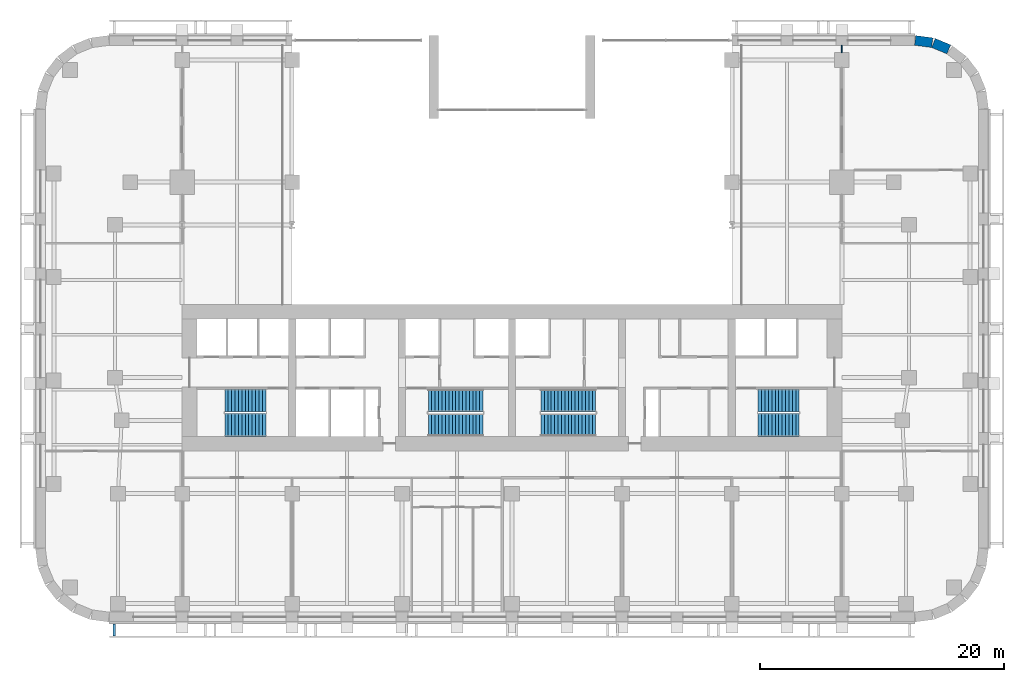
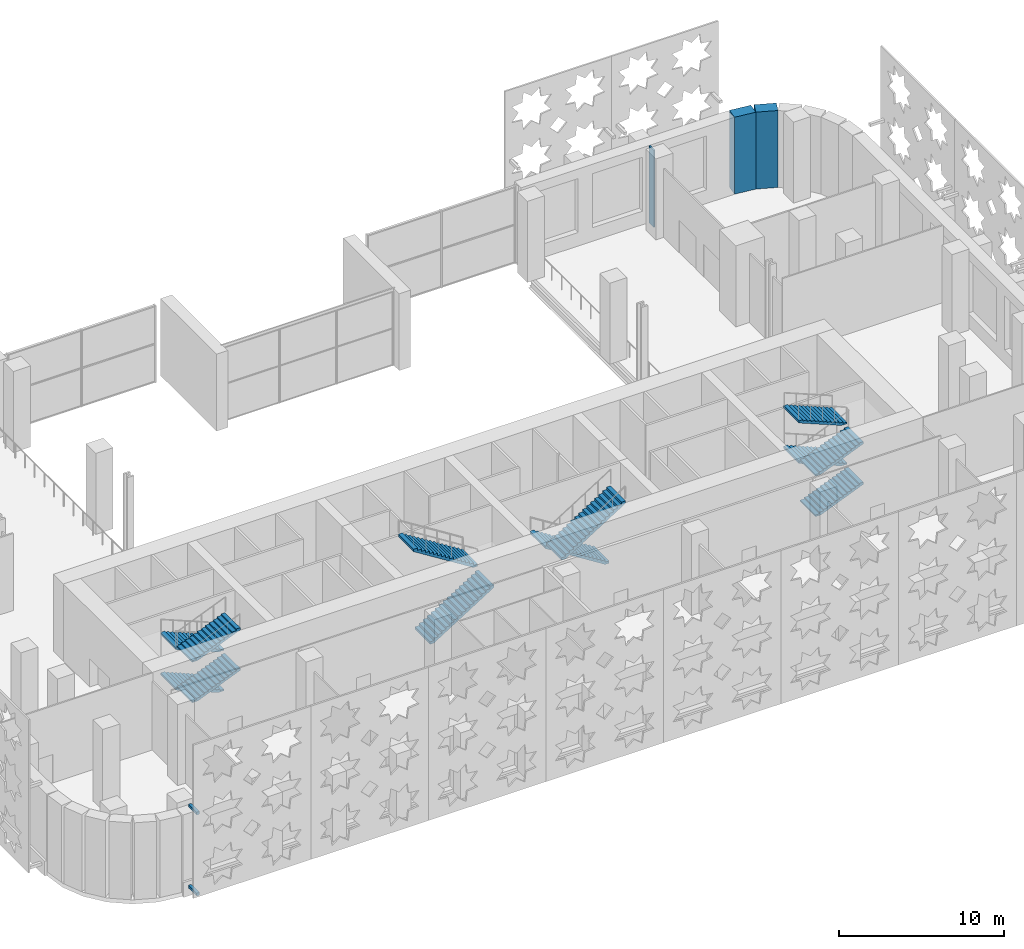
# One storey, part 9 of 17: 12 stair flights, 3 walls, 2 discrete accessories, 4 elements without a shape of their own.
"""IFC4 building model written with IfcOpenShell, lengths in metres."""

from ifc_helpers import new_model, si_unit, direction, frame, frame_2d, origin, origin_2d, place, context, subcontext, project, spatial, polyline, rectangle, outline, extrude, material, layer, layer_set, type_object, element, aggregate, save


model = new_model("IFC4")

# Units and contexts
model_context = context("Model", 3, precision=1e-05, world=origin(), true_north=direction((0.0, 1.0)))
body_context = subcontext(model_context, "Body", "Model", "MODEL_VIEW")
ifc_project = project(units=[si_unit("LENGTHUNIT", "METRE"), si_unit("AREAUNIT", "SQUARE_METRE"), si_unit("VOLUMEUNIT", "CUBIC_METRE"), si_unit("PLANEANGLEUNIT", "RADIAN"), si_unit("MASSUNIT", "GRAM", prefix="KILO")], contexts=[model_context])

# Site, building, storey
site_placement = place(None, origin())
site = spatial("IfcSite", under=ifc_project, at=site_placement, CompositionType="ELEMENT")
building_placement = place(site_placement, origin())
building = spatial("IfcBuilding", under=site, at=building_placement, Name="Zellij Exchange Tower", CompositionType="ELEMENT")
storey_placement = place(building_placement, frame((0.0, 0.0, 9.0)))
storey = spatial("IfcBuildingStorey", under=building, at=storey_placement, Name="L01", CompositionType="ELEMENT", Elevation=9.0)

# Walls
ifc_material_1 = material(Name="Precast concrete C40/50", Category="concrete")
ifc_layer_1 = layer(ifc_material_1, 0.800048828125)
ifc_layer_set_1 = layer_set([ifc_layer_1], Name="Precast concrete C40/50")
wall_type_1 = type_object("IfcWallType", Name="ENV-EW1 Precast stone-piered wall 800", PredefinedType="SOLIDWALL", material=ifc_layer_set_1)
wall_1_placement = place(storey_placement, frame((35.74951171875, 18.866943359375, 0.0), z_axis=(0.0, 0.0, 1.0), x_axis=(-0.923847774587, 0.38276009378, 0.0)))
element("IfcWall", 1, at=wall_1_placement, inside=storey, type_object=wall_type_1, Name="fac.L01.12", PredefinedType="SOLIDWALL", context=body_context, shape_type="SweptSolid", body=[
    extrude(rectangle(XDim=1.35546875, YDim=0.800048828125, at=frame_2d((0.677734375, 0.0))), origin(), (0.0, 0.0, 1.0), 5.699951171875),
])
wall_2_placement = place(storey_placement, frame((34.396240234375, 19.412841796875, 0.0), z_axis=(0.0, 0.0, 1.0), x_axis=(-0.99144603414, 0.130517283865, 0.0)))
element("IfcWall", 2, at=wall_2_placement, inside=storey, type_object=wall_type_1, Name="fac.L01.13", PredefinedType="SOLIDWALL", context=body_context, shape_type="SweptSolid", body=[
    extrude(rectangle(XDim=1.408447265625, YDim=0.800048828125, at=frame_2d((0.7041015625, 0.0))), origin(), (0.0, 0.0, 1.0), 5.699951171875),
])
ifc_material_2 = material(Name="Gypsum board partition on steel studs", Category="steel")
ifc_layer_2 = layer(ifc_material_2, 0.10009765625)
ifc_layer_set_2 = layer_set([ifc_layer_2], Name="Gypsum board partition on steel studs")
wall_type_2 = type_object("IfcWallType", Name="FIT-PARTITION-100", PredefinedType="PARTITIONING", material=ifc_layer_set_2)
wall_3_placement = place(storey_placement, frame((27.0, 18.60009765625, 0.0), z_axis=(0.0, 0.0, 1.0), x_axis=(0.0, 1.0, 0.0)))
element("IfcWall", 3, at=wall_3_placement, inside=storey, type_object=wall_type_2, Name="FIT-PARTITION-100 031", PredefinedType="PARTITIONING", context=body_context, shape_type="SweptSolid", body=[
    extrude(rectangle(XDim=0.599853515625, YDim=0.10009765625, at=frame_2d((0.2998046875, 0.0))), origin(), (0.0, 0.0, 1.0), 5.699951171875),
])

# Stair, stair flights
ifc_material_3 = material(Name="Concrete C40/50", Category="concrete")
stair_type = type_object("IfcStairType", Name="CORE-ST exit stair 1850 wide", PredefinedType="HALF_TURN_STAIR", material=ifc_material_3)
stair_1_placement = place(storey_placement, origin())
stair_1 = element("IfcStair", 4, at=stair_1_placement, inside=storey, type_object=stair_type, Name="L01 exit stair ST1", PredefinedType="HALF_TURN_STAIR")
stair_flight_type_1 = type_object("IfcStairFlightType", Name="CORE-SF flight 1850 riser 115.4 going 280", PredefinedType="STRAIGHT", material=ifc_material_3)
stair_flight_1_placement = place(storey_placement, frame((-20.14990234375, -9.875, 0.0), z_axis=(0.0, 0.0, 1.0), x_axis=(-1.0, 0.0, 0.0)))
stair_flight_1 = element("IfcStairFlight", 5, at=stair_flight_1_placement, type_object=stair_flight_type_1, Name="ST1 flight 1", NumberOfRisers=13, NumberOfTreads=12, PredefinedType="STRAIGHT", RiserHeight=0.115384615, TreadLength=0.28, context=body_context, shape_type="SweptSolid", body=[
    extrude(outline(polyline([(0.0, 0.0), (0.0, 0.115478515625), (0.280029296875, 0.115478515625), (0.280029296875, 0.230712890625), (0.56005859375, 0.230712890625), (0.56005859375, 0.34619140625), (0.840087890625, 0.34619140625), (0.840087890625, 0.46142578125), (1.1201171875, 0.46142578125), (1.1201171875, 0.576904296875), (1.39990234375, 0.576904296875), (1.39990234375, 0.6923828125), (1.679931640625, 0.6923828125), (1.679931640625, 0.8076171875), (1.9599609375, 0.8076171875), (1.9599609375, 0.923095703125), (2.239990234375, 0.923095703125), (2.239990234375, 1.03857421875), (2.52001953125, 1.03857421875), (2.52001953125, 1.15380859375), (2.800048828125, 1.15380859375), (2.800048828125, 1.269287109375), (3.080078125, 1.269287109375), (3.080078125, 1.384521484375), (3.360107421875, 1.384521484375), (3.360107421875, 1.5), (3.360107421875, 1.222412109375), (0.3935546875, 0.0), (0.0, 0.0)])), frame((0.0, 0.925048828125, 0.0), z_axis=(0.0, -1.0, 0.0), x_axis=(1.0, 0.0, 0.0)), (0.0, 0.0, 1.0), 1.85009765625),
])
stair_flight_2_placement = place(storey_placement, frame((-23.510009765625, -11.875, 1.5), z_axis=(0.0, 0.0, 1.0), x_axis=(1.0, 0.0, 0.0)))
stair_flight_2 = element("IfcStairFlight", 6, at=stair_flight_2_placement, type_object=stair_flight_type_1, Name="ST1 flight 2", NumberOfRisers=13, NumberOfTreads=12, PredefinedType="STRAIGHT", RiserHeight=0.115384615, TreadLength=0.28, context=body_context, shape_type="SweptSolid", body=[
    extrude(outline(polyline([(0.0, 0.0), (0.0, 0.115478515625), (0.280029296875, 0.115478515625), (0.280029296875, 0.230712890625), (0.56005859375, 0.230712890625), (0.56005859375, 0.34619140625), (0.840087890625, 0.34619140625), (0.840087890625, 0.46142578125), (1.1201171875, 0.46142578125), (1.1201171875, 0.576904296875), (1.39990234375, 0.576904296875), (1.39990234375, 0.6923828125), (1.679931640625, 0.6923828125), (1.679931640625, 0.8076171875), (1.9599609375, 0.8076171875), (1.9599609375, 0.923095703125), (2.239990234375, 0.923095703125), (2.239990234375, 1.03857421875), (2.52001953125, 1.03857421875), (2.52001953125, 1.15380859375), (2.800048828125, 1.15380859375), (2.800048828125, 1.269287109375), (3.080078125, 1.269287109375), (3.080078125, 1.384521484375), (3.360107421875, 1.384521484375), (3.360107421875, 1.5), (3.360107421875, 1.222412109375), (0.3935546875, 0.0), (0.0, 0.0)])), frame((0.0, 0.925048828125, 0.0), z_axis=(0.0, -1.0, 0.0), x_axis=(1.0, 0.0, 0.0)), (0.0, 0.0, 1.0), 1.85009765625),
])
stair_flight_3_placement = place(storey_placement, frame((-20.14990234375, -9.875, 3.0), z_axis=(0.0, 0.0, 1.0), x_axis=(-1.0, 0.0, 0.0)))
stair_flight_3 = element("IfcStairFlight", 7, at=stair_flight_3_placement, type_object=stair_flight_type_1, Name="ST1 flight 3", NumberOfRisers=13, NumberOfTreads=12, PredefinedType="STRAIGHT", RiserHeight=0.115384615, TreadLength=0.28, context=body_context, shape_type="SweptSolid", body=[
    extrude(outline(polyline([(0.0, 0.0), (0.0, 0.115478515625), (0.280029296875, 0.115478515625), (0.280029296875, 0.230712890625), (0.56005859375, 0.230712890625), (0.56005859375, 0.34619140625), (0.840087890625, 0.34619140625), (0.840087890625, 0.46142578125), (1.1201171875, 0.46142578125), (1.1201171875, 0.576904296875), (1.39990234375, 0.576904296875), (1.39990234375, 0.6923828125), (1.679931640625, 0.6923828125), (1.679931640625, 0.8076171875), (1.9599609375, 0.8076171875), (1.9599609375, 0.923095703125), (2.239990234375, 0.923095703125), (2.239990234375, 1.03857421875), (2.52001953125, 1.03857421875), (2.52001953125, 1.15380859375), (2.800048828125, 1.15380859375), (2.800048828125, 1.269287109375), (3.080078125, 1.269287109375), (3.080078125, 1.384521484375), (3.360107421875, 1.384521484375), (3.360107421875, 1.5), (3.360107421875, 1.222412109375), (0.3935546875, 0.0), (0.0, 0.0)])), frame((0.0, 0.925048828125, 0.0), z_axis=(0.0, -1.0, 0.0), x_axis=(1.0, 0.0, 0.0)), (0.0, 0.0, 1.0), 1.85009765625),
])
stair_flight_4_placement = place(storey_placement, frame((-23.510009765625, -11.875, 4.5), z_axis=(0.0, 0.0, 1.0), x_axis=(1.0, 0.0, 0.0)))
stair_flight_4 = element("IfcStairFlight", 8, at=stair_flight_4_placement, type_object=stair_flight_type_1, Name="ST1 flight 4", NumberOfRisers=13, NumberOfTreads=12, PredefinedType="STRAIGHT", RiserHeight=0.115384615, TreadLength=0.28, context=body_context, shape_type="SweptSolid", body=[
    extrude(outline(polyline([(0.0, 0.0), (0.0, 0.115478515625), (0.280029296875, 0.115478515625), (0.280029296875, 0.230712890625), (0.56005859375, 0.230712890625), (0.56005859375, 0.34619140625), (0.840087890625, 0.34619140625), (0.840087890625, 0.46142578125), (1.1201171875, 0.46142578125), (1.1201171875, 0.576904296875), (1.39990234375, 0.576904296875), (1.39990234375, 0.6923828125), (1.679931640625, 0.6923828125), (1.679931640625, 0.8076171875), (1.9599609375, 0.8076171875), (1.9599609375, 0.923095703125), (2.239990234375, 0.923095703125), (2.239990234375, 1.03857421875), (2.52001953125, 1.03857421875), (2.52001953125, 1.15380859375), (2.800048828125, 1.15380859375), (2.800048828125, 1.269287109375), (3.080078125, 1.269287109375), (3.080078125, 1.384521484375), (3.360107421875, 1.384521484375), (3.360107421875, 1.5), (3.360107421875, 1.222412109375), (0.3935546875, 0.0), (0.0, 0.0)])), frame((0.0, 0.925048828125, 0.0), z_axis=(0.0, -1.0, 0.0), x_axis=(1.0, 0.0, 0.0)), (0.0, 0.0, 1.0), 1.85009765625),
])
aggregate(stair_1, [stair_flight_1, stair_flight_2, stair_flight_3, stair_flight_4])

stair_2_placement = place(storey_placement, origin())
stair_2 = element("IfcStair", 9, at=stair_2_placement, inside=storey, type_object=stair_type, Name="L01 exit stair ST4", PredefinedType="HALF_TURN_STAIR")
stair_flight_5_placement = place(storey_placement, frame((20.14990234375, -11.875, 0.0), z_axis=(0.0, 0.0, 1.0), x_axis=(1.0, 0.0, 0.0)))
stair_flight_5 = element("IfcStairFlight", 10, at=stair_flight_5_placement, type_object=stair_flight_type_1, Name="ST4 flight 1", NumberOfRisers=13, NumberOfTreads=12, PredefinedType="STRAIGHT", RiserHeight=0.115384615, TreadLength=0.28, context=body_context, shape_type="SweptSolid", body=[
    extrude(outline(polyline([(0.0, 0.0), (0.0, 0.115478515625), (0.280029296875, 0.115478515625), (0.280029296875, 0.230712890625), (0.56005859375, 0.230712890625), (0.56005859375, 0.34619140625), (0.840087890625, 0.34619140625), (0.840087890625, 0.46142578125), (1.1201171875, 0.46142578125), (1.1201171875, 0.576904296875), (1.39990234375, 0.576904296875), (1.39990234375, 0.6923828125), (1.679931640625, 0.6923828125), (1.679931640625, 0.8076171875), (1.9599609375, 0.8076171875), (1.9599609375, 0.923095703125), (2.239990234375, 0.923095703125), (2.239990234375, 1.03857421875), (2.52001953125, 1.03857421875), (2.52001953125, 1.15380859375), (2.800048828125, 1.15380859375), (2.800048828125, 1.269287109375), (3.080078125, 1.269287109375), (3.080078125, 1.384521484375), (3.360107421875, 1.384521484375), (3.360107421875, 1.5), (3.360107421875, 1.222412109375), (0.3935546875, 0.0), (0.0, 0.0)])), frame((0.0, 0.925048828125, 0.0), z_axis=(0.0, -1.0, 0.0), x_axis=(1.0, 0.0, 0.0)), (0.0, 0.0, 1.0), 1.85009765625),
])
stair_flight_6_placement = place(storey_placement, frame((23.510009765625, -9.875, 1.5), z_axis=(0.0, 0.0, 1.0), x_axis=(-1.0, 0.0, 0.0)))
stair_flight_6 = element("IfcStairFlight", 11, at=stair_flight_6_placement, type_object=stair_flight_type_1, Name="ST4 flight 2", NumberOfRisers=13, NumberOfTreads=12, PredefinedType="STRAIGHT", RiserHeight=0.115384615, TreadLength=0.28, context=body_context, shape_type="SweptSolid", body=[
    extrude(outline(polyline([(0.0, 0.0), (0.0, 0.115478515625), (0.280029296875, 0.115478515625), (0.280029296875, 0.230712890625), (0.56005859375, 0.230712890625), (0.56005859375, 0.34619140625), (0.840087890625, 0.34619140625), (0.840087890625, 0.46142578125), (1.1201171875, 0.46142578125), (1.1201171875, 0.576904296875), (1.39990234375, 0.576904296875), (1.39990234375, 0.6923828125), (1.679931640625, 0.6923828125), (1.679931640625, 0.8076171875), (1.9599609375, 0.8076171875), (1.9599609375, 0.923095703125), (2.239990234375, 0.923095703125), (2.239990234375, 1.03857421875), (2.52001953125, 1.03857421875), (2.52001953125, 1.15380859375), (2.800048828125, 1.15380859375), (2.800048828125, 1.269287109375), (3.080078125, 1.269287109375), (3.080078125, 1.384521484375), (3.360107421875, 1.384521484375), (3.360107421875, 1.5), (3.360107421875, 1.222412109375), (0.3935546875, 0.0), (0.0, 0.0)])), frame((0.0, 0.925048828125, 0.0), z_axis=(0.0, -1.0, 0.0), x_axis=(1.0, 0.0, 0.0)), (0.0, 0.0, 1.0), 1.85009765625),
])
stair_flight_7_placement = place(storey_placement, frame((20.14990234375, -11.875, 3.0), z_axis=(0.0, 0.0, 1.0), x_axis=(1.0, 0.0, 0.0)))
stair_flight_7 = element("IfcStairFlight", 12, at=stair_flight_7_placement, type_object=stair_flight_type_1, Name="ST4 flight 3", NumberOfRisers=13, NumberOfTreads=12, PredefinedType="STRAIGHT", RiserHeight=0.115384615, TreadLength=0.28, context=body_context, shape_type="SweptSolid", body=[
    extrude(outline(polyline([(0.0, 0.0), (0.0, 0.115478515625), (0.280029296875, 0.115478515625), (0.280029296875, 0.230712890625), (0.56005859375, 0.230712890625), (0.56005859375, 0.34619140625), (0.840087890625, 0.34619140625), (0.840087890625, 0.46142578125), (1.1201171875, 0.46142578125), (1.1201171875, 0.576904296875), (1.39990234375, 0.576904296875), (1.39990234375, 0.6923828125), (1.679931640625, 0.6923828125), (1.679931640625, 0.8076171875), (1.9599609375, 0.8076171875), (1.9599609375, 0.923095703125), (2.239990234375, 0.923095703125), (2.239990234375, 1.03857421875), (2.52001953125, 1.03857421875), (2.52001953125, 1.15380859375), (2.800048828125, 1.15380859375), (2.800048828125, 1.269287109375), (3.080078125, 1.269287109375), (3.080078125, 1.384521484375), (3.360107421875, 1.384521484375), (3.360107421875, 1.5), (3.360107421875, 1.222412109375), (0.3935546875, 0.0), (0.0, 0.0)])), frame((0.0, 0.925048828125, 0.0), z_axis=(0.0, -1.0, 0.0), x_axis=(1.0, 0.0, 0.0)), (0.0, 0.0, 1.0), 1.85009765625),
])
stair_flight_8_placement = place(storey_placement, frame((23.510009765625, -9.875, 4.5), z_axis=(0.0, 0.0, 1.0), x_axis=(-1.0, 0.0, 0.0)))
stair_flight_8 = element("IfcStairFlight", 13, at=stair_flight_8_placement, type_object=stair_flight_type_1, Name="ST4 flight 4", NumberOfRisers=13, NumberOfTreads=12, PredefinedType="STRAIGHT", RiserHeight=0.115384615, TreadLength=0.28, context=body_context, shape_type="SweptSolid", body=[
    extrude(outline(polyline([(0.0, 0.0), (0.0, 0.115478515625), (0.280029296875, 0.115478515625), (0.280029296875, 0.230712890625), (0.56005859375, 0.230712890625), (0.56005859375, 0.34619140625), (0.840087890625, 0.34619140625), (0.840087890625, 0.46142578125), (1.1201171875, 0.46142578125), (1.1201171875, 0.576904296875), (1.39990234375, 0.576904296875), (1.39990234375, 0.6923828125), (1.679931640625, 0.6923828125), (1.679931640625, 0.8076171875), (1.9599609375, 0.8076171875), (1.9599609375, 0.923095703125), (2.239990234375, 0.923095703125), (2.239990234375, 1.03857421875), (2.52001953125, 1.03857421875), (2.52001953125, 1.15380859375), (2.800048828125, 1.15380859375), (2.800048828125, 1.269287109375), (3.080078125, 1.269287109375), (3.080078125, 1.384521484375), (3.360107421875, 1.384521484375), (3.360107421875, 1.5), (3.360107421875, 1.222412109375), (0.3935546875, 0.0), (0.0, 0.0)])), frame((0.0, 0.925048828125, 0.0), z_axis=(0.0, -1.0, 0.0), x_axis=(1.0, 0.0, 0.0)), (0.0, 0.0, 1.0), 1.85009765625),
])
aggregate(stair_2, [stair_flight_5, stair_flight_6, stair_flight_7, stair_flight_8])

stair_3_placement = place(storey_placement, origin())
stair_3 = element("IfcStair", 14, at=stair_3_placement, inside=storey, type_object=stair_type, Name="L01 exit stair ST2", PredefinedType="HALF_TURN_STAIR")
stair_flight_type_2 = type_object("IfcStairFlightType", Name="CORE-SF flight 1850 riser 176.5 going 280", PredefinedType="STRAIGHT", material=ifc_material_3)
stair_flight_9_placement = place(storey_placement, frame((-6.85009765625, -11.875, 0.0), z_axis=(0.0, 0.0, 1.0), x_axis=(1.0, 0.0, 0.0)))
stair_flight_9 = element("IfcStairFlight", 15, at=stair_flight_9_placement, type_object=stair_flight_type_2, Name="ST2 flight 1", NumberOfRisers=17, NumberOfTreads=16, PredefinedType="STRAIGHT", RiserHeight=0.176470588, TreadLength=0.28, context=body_context, shape_type="SweptSolid", body=[
    extrude(outline(polyline([(0.0, 0.0), (0.0, 0.176513671875), (0.280029296875, 0.176513671875), (0.280029296875, 0.35302734375), (0.56005859375, 0.35302734375), (0.56005859375, 0.529296875), (0.840087890625, 0.529296875), (0.840087890625, 0.705810546875), (1.1201171875, 0.705810546875), (1.1201171875, 0.88232421875), (1.39990234375, 0.88232421875), (1.39990234375, 1.058837890625), (1.679931640625, 1.058837890625), (1.679931640625, 1.2353515625), (1.9599609375, 1.2353515625), (1.9599609375, 1.411865234375), (2.239990234375, 1.411865234375), (2.239990234375, 1.588134765625), (2.52001953125, 1.588134765625), (2.52001953125, 1.7646484375), (2.800048828125, 1.7646484375), (2.800048828125, 1.941162109375), (3.080078125, 1.941162109375), (3.080078125, 2.11767578125), (3.360107421875, 2.11767578125), (3.360107421875, 2.294189453125), (3.639892578125, 2.294189453125), (3.639892578125, 2.470703125), (3.919921875, 2.470703125), (3.919921875, 2.64697265625), (4.199951171875, 2.64697265625), (4.199951171875, 2.823486328125), (4.47998046875, 2.823486328125), (4.47998046875, 3.0), (4.47998046875, 2.646240234375), (0.28125, 0.0), (0.0, 0.0)])), frame((0.0, 0.925048828125, 0.0), z_axis=(0.0, -1.0, 0.0), x_axis=(1.0, 0.0, 0.0)), (0.0, 0.0, 1.0), 1.85009765625),
])
stair_flight_10_placement = place(storey_placement, frame((-2.3701171875, -9.875, 3.0), z_axis=(0.0, 0.0, 1.0), x_axis=(-1.0, 0.0, 0.0)))
stair_flight_10 = element("IfcStairFlight", 16, at=stair_flight_10_placement, type_object=stair_flight_type_2, Name="ST2 flight 2", NumberOfRisers=17, NumberOfTreads=16, PredefinedType="STRAIGHT", RiserHeight=0.176470588, TreadLength=0.28, context=body_context, shape_type="SweptSolid", body=[
    extrude(outline(polyline([(0.0, 0.0), (0.0, 0.176513671875), (0.280029296875, 0.176513671875), (0.280029296875, 0.35302734375), (0.56005859375, 0.35302734375), (0.56005859375, 0.529296875), (0.840087890625, 0.529296875), (0.840087890625, 0.705810546875), (1.1201171875, 0.705810546875), (1.1201171875, 0.88232421875), (1.39990234375, 0.88232421875), (1.39990234375, 1.058837890625), (1.679931640625, 1.058837890625), (1.679931640625, 1.2353515625), (1.9599609375, 1.2353515625), (1.9599609375, 1.411865234375), (2.239990234375, 1.411865234375), (2.239990234375, 1.588134765625), (2.52001953125, 1.588134765625), (2.52001953125, 1.7646484375), (2.800048828125, 1.7646484375), (2.800048828125, 1.941162109375), (3.080078125, 1.941162109375), (3.080078125, 2.11767578125), (3.360107421875, 2.11767578125), (3.360107421875, 2.294189453125), (3.639892578125, 2.294189453125), (3.639892578125, 2.470703125), (3.919921875, 2.470703125), (3.919921875, 2.64697265625), (4.199951171875, 2.64697265625), (4.199951171875, 2.823486328125), (4.47998046875, 2.823486328125), (4.47998046875, 3.0), (4.47998046875, 2.646240234375), (0.28125, 0.0), (0.0, 0.0)])), frame((0.0, 0.925048828125, 0.0), z_axis=(0.0, -1.0, 0.0), x_axis=(1.0, 0.0, 0.0)), (0.0, 0.0, 1.0), 1.85009765625),
])
aggregate(stair_3, [stair_flight_9, stair_flight_10])

stair_4_placement = place(storey_placement, origin())
stair_4 = element("IfcStair", 17, at=stair_4_placement, inside=storey, type_object=stair_type, Name="L01 exit stair ST3", PredefinedType="HALF_TURN_STAIR")
stair_flight_11_placement = place(storey_placement, frame((6.85009765625, -9.875, 0.0), z_axis=(0.0, 0.0, 1.0), x_axis=(-1.0, 0.0, 0.0)))
stair_flight_11 = element("IfcStairFlight", 18, at=stair_flight_11_placement, type_object=stair_flight_type_2, Name="ST3 flight 1", NumberOfRisers=17, NumberOfTreads=16, PredefinedType="STRAIGHT", RiserHeight=0.176470588, TreadLength=0.28, context=body_context, shape_type="SweptSolid", body=[
    extrude(outline(polyline([(0.0, 0.0), (0.0, 0.176513671875), (0.280029296875, 0.176513671875), (0.280029296875, 0.35302734375), (0.56005859375, 0.35302734375), (0.56005859375, 0.529296875), (0.840087890625, 0.529296875), (0.840087890625, 0.705810546875), (1.1201171875, 0.705810546875), (1.1201171875, 0.88232421875), (1.39990234375, 0.88232421875), (1.39990234375, 1.058837890625), (1.679931640625, 1.058837890625), (1.679931640625, 1.2353515625), (1.9599609375, 1.2353515625), (1.9599609375, 1.411865234375), (2.239990234375, 1.411865234375), (2.239990234375, 1.588134765625), (2.52001953125, 1.588134765625), (2.52001953125, 1.7646484375), (2.800048828125, 1.7646484375), (2.800048828125, 1.941162109375), (3.080078125, 1.941162109375), (3.080078125, 2.11767578125), (3.360107421875, 2.11767578125), (3.360107421875, 2.294189453125), (3.639892578125, 2.294189453125), (3.639892578125, 2.470703125), (3.919921875, 2.470703125), (3.919921875, 2.64697265625), (4.199951171875, 2.64697265625), (4.199951171875, 2.823486328125), (4.47998046875, 2.823486328125), (4.47998046875, 3.0), (4.47998046875, 2.646240234375), (0.28125, 0.0), (0.0, 0.0)])), frame((0.0, 0.925048828125, 0.0), z_axis=(0.0, -1.0, 0.0), x_axis=(1.0, 0.0, 0.0)), (0.0, 0.0, 1.0), 1.85009765625),
])
stair_flight_12_placement = place(storey_placement, frame((2.3701171875, -11.875, 3.0), z_axis=(0.0, 0.0, 1.0), x_axis=(1.0, 0.0, 0.0)))
stair_flight_12 = element("IfcStairFlight", 19, at=stair_flight_12_placement, type_object=stair_flight_type_2, Name="ST3 flight 2", NumberOfRisers=17, NumberOfTreads=16, PredefinedType="STRAIGHT", RiserHeight=0.176470588, TreadLength=0.28, context=body_context, shape_type="SweptSolid", body=[
    extrude(outline(polyline([(0.0, 0.0), (0.0, 0.176513671875), (0.280029296875, 0.176513671875), (0.280029296875, 0.35302734375), (0.56005859375, 0.35302734375), (0.56005859375, 0.529296875), (0.840087890625, 0.529296875), (0.840087890625, 0.705810546875), (1.1201171875, 0.705810546875), (1.1201171875, 0.88232421875), (1.39990234375, 0.88232421875), (1.39990234375, 1.058837890625), (1.679931640625, 1.058837890625), (1.679931640625, 1.2353515625), (1.9599609375, 1.2353515625), (1.9599609375, 1.411865234375), (2.239990234375, 1.411865234375), (2.239990234375, 1.588134765625), (2.52001953125, 1.588134765625), (2.52001953125, 1.7646484375), (2.800048828125, 1.7646484375), (2.800048828125, 1.941162109375), (3.080078125, 1.941162109375), (3.080078125, 2.11767578125), (3.360107421875, 2.11767578125), (3.360107421875, 2.294189453125), (3.639892578125, 2.294189453125), (3.639892578125, 2.470703125), (3.919921875, 2.470703125), (3.919921875, 2.64697265625), (4.199951171875, 2.64697265625), (4.199951171875, 2.823486328125), (4.47998046875, 2.823486328125), (4.47998046875, 3.0), (4.47998046875, 2.646240234375), (0.28125, 0.0), (0.0, 0.0)])), frame((0.0, 0.925048828125, 0.0), z_axis=(0.0, -1.0, 0.0), x_axis=(1.0, 0.0, 0.0)), (0.0, 0.0, 1.0), 1.85009765625),
])
aggregate(stair_4, [stair_flight_11, stair_flight_12])

# Discrete accessories
ifc_material_4 = material(Name="Stainless steel", Category="steel")
discrete_accessory_type = type_object("IfcDiscreteAccessoryType", Name="ENV-BR1 Stone panel bracket 200", PredefinedType="USERDEFINED", material=ifc_material_4)
for number, where, z_axis, x_axis, name in (
    (20, (-32.547607421875, -28.64990234375, 0.2998046875), (0.0, 0.0, 1.0), (1.0, 0.0, 0.0), "Panel bracket"),
    (21, (-32.547607421875, -28.64990234375, 6.2998046875), (0.0, 0.0, 1.0), (1.0, 0.0, 0.0), "Panel bracket"),
):
    element("IfcDiscreteAccessory", number, at=place(storey_placement, frame(where, z_axis=z_axis, x_axis=x_axis)), inside=storey, type_object=discrete_accessory_type, Name=name, ObjectType="BRACKET", PredefinedType="USERDEFINED", context=body_context, shape_type="SweptSolid", body=[
        extrude(rectangle(XDim=0.199951171875, YDim=1.0, at=origin_2d()), origin(), (0.0, 0.0, 1.0), 0.199951171875),
    ])

save(model, "model.ifc")
